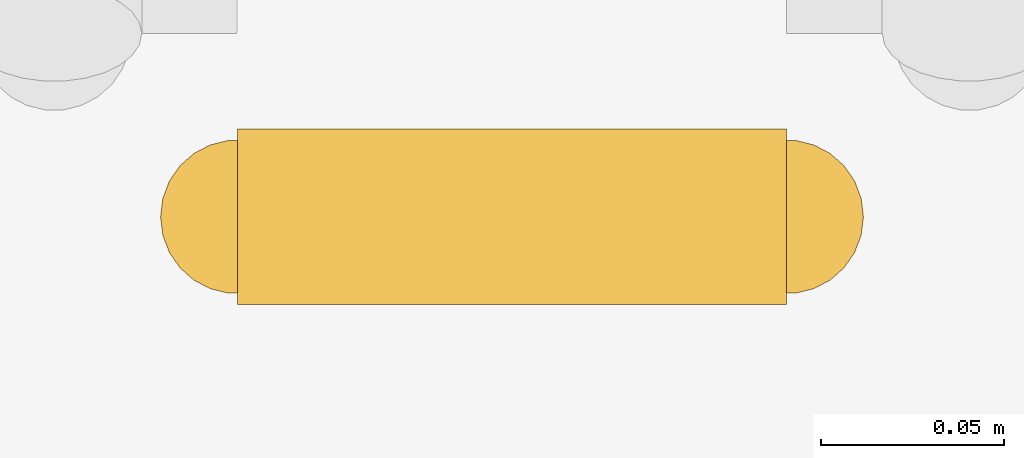
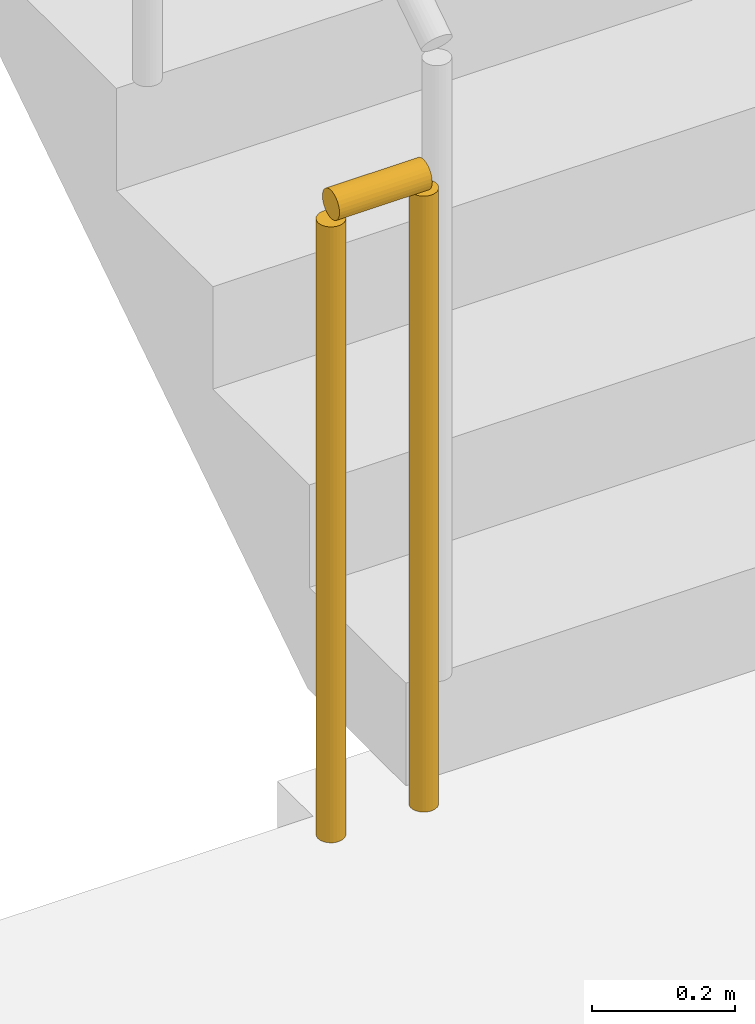
# One storey, part 15 of 20: 1 railing.
"""IFC4 building model written with IfcOpenShell, lengths in metres."""

from ifc_helpers import new_model, si_unit, direction, frame, origin, origin_2d, place, context, subcontext, project, spatial, circle, extrude, material, type_object, element, save


model = new_model("IFC4")

# Units and contexts
model_context = context("Model", 3, precision=1e-05, world=origin(), true_north=direction((0.0, 1.0)))
body_context = subcontext(model_context, "Body", "Model", "MODEL_VIEW")
ifc_project = project(units=[si_unit("LENGTHUNIT", "METRE"), si_unit("AREAUNIT", "SQUARE_METRE"), si_unit("VOLUMEUNIT", "CUBIC_METRE"), si_unit("PLANEANGLEUNIT", "RADIAN"), si_unit("MASSUNIT", "GRAM", prefix="KILO")], contexts=[model_context])

# Site, building, storey
site_placement = place(None, origin())
site = spatial("IfcSite", under=ifc_project, at=site_placement, CompositionType="ELEMENT")
building_placement = place(site_placement, origin())
building = spatial("IfcBuilding", under=site, at=building_placement, Name="Saffron Iwan Residences", CompositionType="ELEMENT")
storey_placement = place(building_placement, frame((0.0, 0.0, 181.5)))
storey = spatial("IfcBuildingStorey", under=building, at=storey_placement, Name="L48", CompositionType="ELEMENT", Elevation=181.5)

# Railing
ifc_material = material(Name="Steel S355", Category="steel")
railing_type = type_object("IfcRailingType", Name="Stair guard 1100", PredefinedType="GUARDRAIL", material=ifc_material)
railing_placement = place(storey_placement, frame((31.25, 67.800048828125, 0.0)))
element("IfcRailing", 1, at=railing_placement, inside=storey, type_object=railing_type, Name="L48 ST-W stair guard 2", PredefinedType="GUARDRAIL", context=body_context, shape_type="SweptSolid", body=[
    extrude(circle(Radius=0.02392578125, at=origin_2d()), frame((0.0, 0.0, 1.076171875), z_axis=(-1.0, 0.0, 0.0), x_axis=(0.0, -1.0, 0.0)), (0.0, 0.0, 1.0), 0.14990234375),
    extrude(circle(Radius=0.02099609375, at=origin_2d()), origin(), (0.0, 0.0, 1.0), 1.052001953125),
    extrude(circle(Radius=0.02099609375, at=origin_2d()), frame((-0.14990234375, 0.0, 0.0)), (0.0, 0.0, 1.0), 1.052001953125),
])

save(model, "model.ifc")
